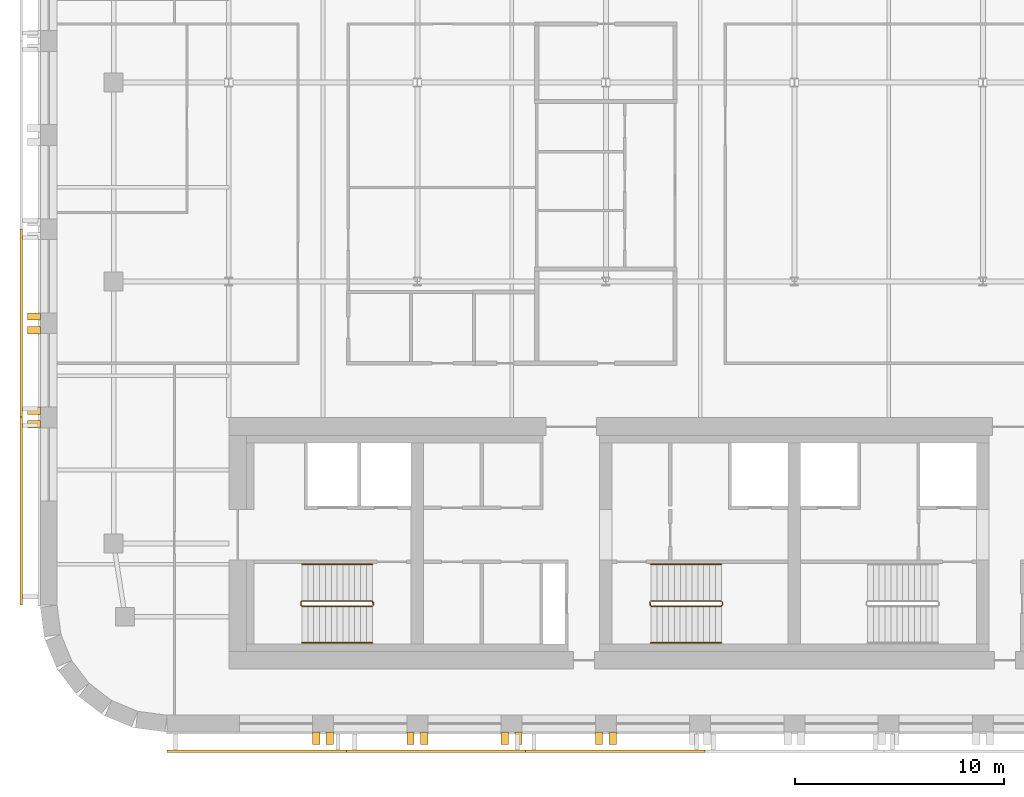
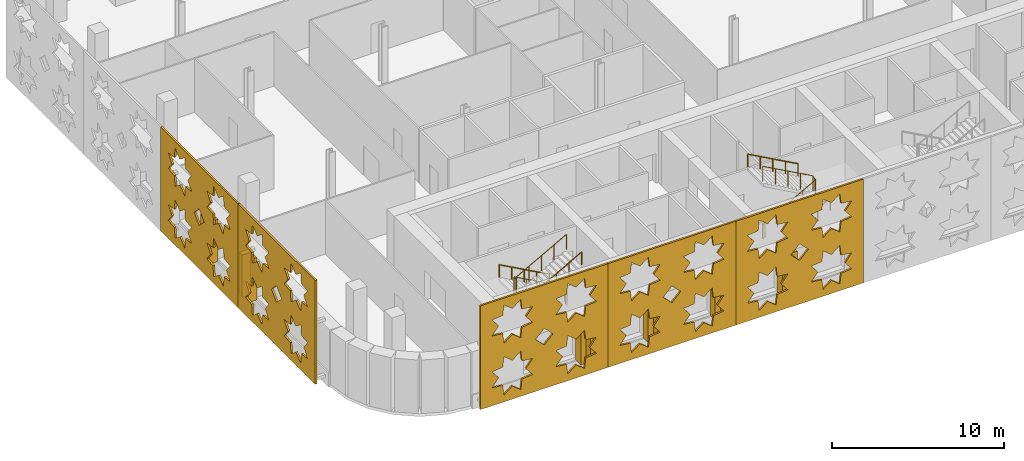
# One storey, part 10 of 13: 17 coverings, 6 railings.
"""IFC4 building model written with IfcOpenShell, lengths in metres."""

from ifc_helpers import new_model, si_unit, direction, frame, origin, origin_2d, place, context, subcontext, project, spatial, polyline, circle, outline, extrude, material, layer, layer_set, type_object, element, save


model = new_model("IFC4")

# Units and contexts
model_context = context("Model", 3, precision=1e-05, world=origin(), true_north=direction((0.0, 1.0)))
body_context = subcontext(model_context, "Body", "Model", "MODEL_VIEW")
ifc_project = project(units=[si_unit("LENGTHUNIT", "METRE"), si_unit("AREAUNIT", "SQUARE_METRE"), si_unit("VOLUMEUNIT", "CUBIC_METRE"), si_unit("PLANEANGLEUNIT", "RADIAN"), si_unit("MASSUNIT", "GRAM", prefix="KILO")], contexts=[model_context])

# Site, building, storey
site_placement = place(None, origin())
site = spatial("IfcSite", under=ifc_project, at=site_placement, CompositionType="ELEMENT")
building_placement = place(site_placement, origin())
building = spatial("IfcBuilding", under=site, at=building_placement, Name="Zellij Exchange Tower", CompositionType="ELEMENT")
storey_placement = place(building_placement, frame((0.0, 0.0, 172.5)))
storey = spatial("IfcBuildingStorey", under=building, at=storey_placement, Name="L39", CompositionType="ELEMENT", Elevation=172.5)

# Railings
ifc_material_1 = material(Name="Stainless steel", Category="steel")
railing_type_1 = type_object("IfcRailingType", Name="CORE-RG stair guard", PredefinedType="GUARDRAIL", material=ifc_material_1)
railing_1_placement = place(storey_placement, frame((-20.10009765625, -10.800048828125, 0.0)))
element("IfcRailing", 1, at=railing_1_placement, inside=storey, type_object=railing_type_1, Name="ST1 stair guard L39", PredefinedType="GUARDRAIL", context=body_context, shape_type="SweptSolid", body=[
    extrude(circle(Radius=0.02392578125, at=origin_2d()), frame((0.0, 0.0, 1.076171875), z_axis=(0.0, -1.0, 0.0), x_axis=(1.0, 0.0, 0.0)), (0.0, 0.0, 1.0), 0.14990234375),
    extrude(circle(Radius=0.02392578125, at=origin_2d()), frame((0.0, -0.14990234375, 1.076171875), z_axis=(-0.193691321961, 0.777613689637, 0.598164376644), x_axis=(-0.970351222016, -0.241699205484, 0.0)), (0.0, 0.0, 1.0), 0.257080078125),
    extrude(circle(Radius=0.02392578125, at=origin_2d()), frame((-0.0498046875, 0.050048828125, 1.22998046875), z_axis=(-0.876421534553, 0.0, 0.481544695509), x_axis=(0.0, -1.0, 0.0)), (0.0, 0.0, 1.0), 3.833984375),
    extrude(circle(Radius=0.02392578125, at=origin_2d()), frame((-3.409912109375, 0.050048828125, 3.076171875), z_axis=(-0.707106781187, -0.707106781187, 0.0), x_axis=(0.707106781187, -0.707106781187, 0.0)), (0.0, 0.0, 1.0), 0.07080078125),
    extrude(circle(Radius=0.02392578125, at=origin_2d()), frame((-3.4599609375, 0.0, 3.076171875), z_axis=(0.0, -1.0, 0.0), x_axis=(1.0, 0.0, 0.0)), (0.0, 0.0, 1.0), 0.14990234375),
    extrude(circle(Radius=0.02392578125, at=origin_2d()), frame((-3.4599609375, -0.14990234375, 3.076171875), z_axis=(0.295599637079, -0.295599637079, 0.908428152975), x_axis=(0.707106781187, 0.707106781187, 0.0)), (0.0, 0.0, 1.0), 0.16943359375),
    extrude(circle(Radius=0.02392578125, at=origin_2d()), frame((-3.409912109375, -0.199951171875, 3.22998046875), z_axis=(0.876421534553, 0.0, 0.481544695509), x_axis=(0.0, 1.0, 0.0)), (0.0, 0.0, 1.0), 3.833984375),
    extrude(circle(Radius=0.02099609375, at=origin_2d()), origin(), (0.0, 0.0, 1.0), 1.052001953125),
    extrude(circle(Radius=0.02099609375, at=origin_2d()), frame((0.0, -0.14990234375, 0.0)), (0.0, 0.0, 1.0), 1.052001953125),
    extrude(circle(Radius=0.02099609375, at=origin_2d()), frame((-0.0498046875, 0.050048828125, 0.15380859375)), (0.0, 0.0, 1.0), 1.052001953125),
    extrude(circle(Radius=0.02099609375, at=origin_2d()), frame((-0.889892578125, 0.050048828125, 0.615234375)), (0.0, 0.0, 1.0), 1.052001953125),
    extrude(circle(Radius=0.02099609375, at=origin_2d()), frame((-1.72998046875, 0.050048828125, 1.076904296875)), (0.0, 0.0, 1.0), 1.052001953125),
    extrude(circle(Radius=0.02099609375, at=origin_2d()), frame((-2.56982421875, 0.050048828125, 1.53857421875)), (0.0, 0.0, 1.0), 1.052001953125),
    extrude(circle(Radius=0.02099609375, at=origin_2d()), frame((-3.409912109375, 0.050048828125, 2.0)), (0.0, 0.0, 1.0), 1.052001953125),
    extrude(circle(Radius=0.02099609375, at=origin_2d()), frame((-3.4599609375, 0.0, 2.0)), (0.0, 0.0, 1.0), 1.052001953125),
    extrude(circle(Radius=0.02099609375, at=origin_2d()), frame((-3.4599609375, -0.14990234375, 2.0)), (0.0, 0.0, 1.0), 1.052001953125),
    extrude(circle(Radius=0.02099609375, at=origin_2d()), frame((-3.409912109375, -0.199951171875, 2.15380859375)), (0.0, 0.0, 1.0), 1.052001953125),
    extrude(circle(Radius=0.02099609375, at=origin_2d()), frame((-2.56982421875, -0.199951171875, 2.615234375)), (0.0, 0.0, 1.0), 1.052001953125),
    extrude(circle(Radius=0.02099609375, at=origin_2d()), frame((-1.72998046875, -0.199951171875, 3.076904296875)), (0.0, 0.0, 1.0), 1.052001953125),
    extrude(circle(Radius=0.02099609375, at=origin_2d()), frame((-0.889892578125, -0.199951171875, 3.53857421875)), (0.0, 0.0, 1.0), 1.052001953125),
    extrude(circle(Radius=0.02099609375, at=origin_2d()), frame((-0.0498046875, -0.199951171875, 4.0)), (0.0, 0.0, 1.0), 1.052001953125),
])
railing_2_placement = place(storey_placement, frame((-6.89990234375, -10.949951171875, 0.0)))
element("IfcRailing", 2, at=railing_2_placement, inside=storey, type_object=railing_type_1, Name="ST2 stair guard L39", PredefinedType="GUARDRAIL", context=body_context, shape_type="SweptSolid", body=[
    extrude(circle(Radius=0.02392578125, at=origin_2d()), frame((0.0, 0.0, 1.076171875), z_axis=(0.0, 1.0, 0.0), x_axis=(-1.0, 0.0, 0.0)), (0.0, 0.0, 1.0), 0.14990234375),
    extrude(circle(Radius=0.02392578125, at=origin_2d()), frame((0.0, 0.14990234375, 1.076171875), z_axis=(0.193691321961, -0.777613689637, 0.598164376644), x_axis=(0.970351222016, 0.241699205484, 0.0)), (0.0, 0.0, 1.0), 0.257080078125),
    extrude(circle(Radius=0.02392578125, at=origin_2d()), frame((0.0498046875, -0.050048828125, 1.22998046875), z_axis=(0.876421534553, 0.0, 0.481544695509), x_axis=(0.0, 1.0, 0.0)), (0.0, 0.0, 1.0), 3.833984375),
    extrude(circle(Radius=0.02392578125, at=origin_2d()), frame((3.409912109375, -0.050048828125, 3.076171875), z_axis=(0.707106781187, 0.707106781187, 0.0), x_axis=(-0.707106781187, 0.707106781187, 0.0)), (0.0, 0.0, 1.0), 0.07080078125),
    extrude(circle(Radius=0.02392578125, at=origin_2d()), frame((3.4599609375, 0.0, 3.076171875), z_axis=(0.0, 1.0, 0.0), x_axis=(-1.0, 0.0, 0.0)), (0.0, 0.0, 1.0), 0.14990234375),
    extrude(circle(Radius=0.02392578125, at=origin_2d()), frame((3.4599609375, 0.14990234375, 3.076171875), z_axis=(-0.295599637079, 0.295599637079, 0.908428152975), x_axis=(-0.707106781187, -0.707106781187, 0.0)), (0.0, 0.0, 1.0), 0.16943359375),
    extrude(circle(Radius=0.02392578125, at=origin_2d()), frame((3.409912109375, 0.199951171875, 3.22998046875), z_axis=(-0.876421534553, 0.0, 0.481544695509), x_axis=(0.0, -1.0, 0.0)), (0.0, 0.0, 1.0), 3.833984375),
    extrude(circle(Radius=0.02099609375, at=origin_2d()), origin(), (0.0, 0.0, 1.0), 1.052001953125),
    extrude(circle(Radius=0.02099609375, at=origin_2d()), frame((0.0, 0.14990234375, 0.0)), (0.0, 0.0, 1.0), 1.052001953125),
    extrude(circle(Radius=0.02099609375, at=origin_2d()), frame((0.0498046875, -0.050048828125, 0.15380859375)), (0.0, 0.0, 1.0), 1.052001953125),
    extrude(circle(Radius=0.02099609375, at=origin_2d()), frame((0.889892578125, -0.050048828125, 0.615234375)), (0.0, 0.0, 1.0), 1.052001953125),
    extrude(circle(Radius=0.02099609375, at=origin_2d()), frame((1.72998046875, -0.050048828125, 1.076904296875)), (0.0, 0.0, 1.0), 1.052001953125),
    extrude(circle(Radius=0.02099609375, at=origin_2d()), frame((2.56982421875, -0.050048828125, 1.53857421875)), (0.0, 0.0, 1.0), 1.052001953125),
    extrude(circle(Radius=0.02099609375, at=origin_2d()), frame((3.409912109375, -0.050048828125, 2.0)), (0.0, 0.0, 1.0), 1.052001953125),
    extrude(circle(Radius=0.02099609375, at=origin_2d()), frame((3.4599609375, 0.0, 2.0)), (0.0, 0.0, 1.0), 1.052001953125),
    extrude(circle(Radius=0.02099609375, at=origin_2d()), frame((3.4599609375, 0.14990234375, 2.0)), (0.0, 0.0, 1.0), 1.052001953125),
    extrude(circle(Radius=0.02099609375, at=origin_2d()), frame((3.409912109375, 0.199951171875, 2.15380859375)), (0.0, 0.0, 1.0), 1.052001953125),
    extrude(circle(Radius=0.02099609375, at=origin_2d()), frame((2.56982421875, 0.199951171875, 2.615234375)), (0.0, 0.0, 1.0), 1.052001953125),
    extrude(circle(Radius=0.02099609375, at=origin_2d()), frame((1.72998046875, 0.199951171875, 3.076904296875)), (0.0, 0.0, 1.0), 1.052001953125),
    extrude(circle(Radius=0.02099609375, at=origin_2d()), frame((0.889892578125, 0.199951171875, 3.53857421875)), (0.0, 0.0, 1.0), 1.052001953125),
    extrude(circle(Radius=0.02099609375, at=origin_2d()), frame((0.0498046875, 0.199951171875, 4.0)), (0.0, 0.0, 1.0), 1.052001953125),
])
railing_type_2 = type_object("IfcRailingType", Name="CORE-RH stair handrail", PredefinedType="HANDRAIL", material=ifc_material_1)
railing_3_placement = place(storey_placement, frame((-20.14990234375, -9.0, 0.15380859375)))
element("IfcRailing", 3, at=railing_3_placement, inside=storey, type_object=railing_type_2, Name="ST1 stair handrail L39", PredefinedType="HANDRAIL", context=body_context, shape_type="SweptSolid", body=[
    extrude(circle(Radius=0.02392578125, at=origin_2d()), frame((0.0, 0.0, 0.8759765625), z_axis=(-0.876421534553, 0.0, 0.481544695509), x_axis=(0.0, -1.0, 0.0)), (0.0, 0.0, 1.0), 3.833984375),
    extrude(circle(Radius=0.02099609375, at=origin_2d()), origin(), (0.0, 0.0, 1.0), 0.851806640625),
    extrude(circle(Radius=0.02099609375, at=origin_2d()), frame((-0.840087890625, 0.0, 0.46142578125)), (0.0, 0.0, 1.0), 0.851806640625),
    extrude(circle(Radius=0.02099609375, at=origin_2d()), frame((-1.68017578125, 0.0, 0.923095703125)), (0.0, 0.0, 1.0), 0.851806640625),
    extrude(circle(Radius=0.02099609375, at=origin_2d()), frame((-2.52001953125, 0.0, 1.384765625)), (0.0, 0.0, 1.0), 0.851806640625),
    extrude(circle(Radius=0.02099609375, at=origin_2d()), frame((-3.360107421875, 0.0, 1.84619140625)), (0.0, 0.0, 1.0), 0.851806640625),
])
for number, where, name in (
    (4, (-23.510009765625, -12.75, 2.15380859375), "ST1 stair handrail L39"),
    (5, (-6.85009765625, -12.75, 0.15380859375), "ST2 stair handrail L39"),
):
    element("IfcRailing", number, at=place(storey_placement, frame(where)), inside=storey, type_object=railing_type_2, Name=name, PredefinedType="HANDRAIL", context=body_context, shape_type="SweptSolid", body=[
        extrude(circle(Radius=0.02392578125, at=origin_2d()), frame((0.0, 0.0, 0.8759765625), z_axis=(0.876421534553, 0.0, 0.481544695509), x_axis=(0.0, 1.0, 0.0)), (0.0, 0.0, 1.0), 3.833984375),
        extrude(circle(Radius=0.02099609375, at=origin_2d()), origin(), (0.0, 0.0, 1.0), 0.851806640625),
        extrude(circle(Radius=0.02099609375, at=origin_2d()), frame((0.840087890625, 0.0, 0.46142578125)), (0.0, 0.0, 1.0), 0.851806640625),
        extrude(circle(Radius=0.02099609375, at=origin_2d()), frame((1.68017578125, 0.0, 0.923095703125)), (0.0, 0.0, 1.0), 0.851806640625),
        extrude(circle(Radius=0.02099609375, at=origin_2d()), frame((2.52001953125, 0.0, 1.384765625)), (0.0, 0.0, 1.0), 0.851806640625),
        extrude(circle(Radius=0.02099609375, at=origin_2d()), frame((3.360107421875, 0.0, 1.84619140625)), (0.0, 0.0, 1.0), 0.851806640625),
    ])
railing_4_placement = place(storey_placement, frame((-3.489990234375, -9.0, 2.15380859375)))
element("IfcRailing", 6, at=railing_4_placement, inside=storey, type_object=railing_type_2, Name="ST2 stair handrail L39", PredefinedType="HANDRAIL", context=body_context, shape_type="SweptSolid", body=[
    extrude(circle(Radius=0.02392578125, at=origin_2d()), frame((0.0, 0.0, 0.8759765625), z_axis=(-0.876421534553, 0.0, 0.481544695509), x_axis=(0.0, -1.0, 0.0)), (0.0, 0.0, 1.0), 3.833984375),
    extrude(circle(Radius=0.02099609375, at=origin_2d()), origin(), (0.0, 0.0, 1.0), 0.851806640625),
    extrude(circle(Radius=0.02099609375, at=origin_2d()), frame((-0.840087890625, 0.0, 0.46142578125)), (0.0, 0.0, 1.0), 0.851806640625),
    extrude(circle(Radius=0.02099609375, at=origin_2d()), frame((-1.68017578125, 0.0, 0.923095703125)), (0.0, 0.0, 1.0), 0.851806640625),
    extrude(circle(Radius=0.02099609375, at=origin_2d()), frame((-2.52001953125, 0.0, 1.384765625)), (0.0, 0.0, 1.0), 0.851806640625),
    extrude(circle(Radius=0.02099609375, at=origin_2d()), frame((-3.360107421875, 0.0, 1.84619140625)), (0.0, 0.0, 1.0), 0.851806640625),
])

# Coverings
ifc_material_2 = material(Name="Limestone cladding", Category="masonry")
covering_type_1 = type_object("IfcCoveringType", Name="ENV-CV3 Stone pier 350x600", PredefinedType="CLADDING", material=ifc_material_2)
covering_1_placement = place(storey_placement, frame((0.0, 0.0, 0.800048828125)))
element("IfcCovering", 7, at=covering_1_placement, inside=storey, type_object=covering_type_1, Name="Stone pier", PredefinedType="CLADDING", context=body_context, shape_type="SweptSolid", body=[
    extrude(outline(polyline([(-23.0, -17.0), (-22.64990234375, -17.0), (-22.64990234375, -17.60009765625), (-23.0, -17.60009765625), (-23.0, -17.0)])), origin(), (0.0, 0.0, 1.0), 3.0),
])
covering_2_placement = place(storey_placement, frame((0.0, 0.0, 0.800048828125)))
element("IfcCovering", 8, at=covering_2_placement, inside=storey, type_object=covering_type_1, Name="Stone pier", PredefinedType="CLADDING", context=body_context, shape_type="SweptSolid", body=[
    extrude(outline(polyline([(-22.35009765625, -17.0), (-22.0, -17.0), (-22.0, -17.60009765625), (-22.35009765625, -17.60009765625), (-22.35009765625, -17.0)])), origin(), (0.0, 0.0, 1.0), 3.0),
])
covering_3_placement = place(storey_placement, frame((0.0, 0.0, 0.800048828125)))
element("IfcCovering", 9, at=covering_3_placement, inside=storey, type_object=covering_type_1, Name="Stone pier", PredefinedType="CLADDING", context=body_context, shape_type="SweptSolid", body=[
    extrude(outline(polyline([(-18.5, -17.0), (-18.14990234375, -17.0), (-18.14990234375, -17.60009765625), (-18.5, -17.60009765625), (-18.5, -17.0)])), origin(), (0.0, 0.0, 1.0), 3.0),
])
covering_4_placement = place(storey_placement, frame((0.0, 0.0, 0.800048828125)))
element("IfcCovering", 10, at=covering_4_placement, inside=storey, type_object=covering_type_1, Name="Stone pier", PredefinedType="CLADDING", context=body_context, shape_type="SweptSolid", body=[
    extrude(outline(polyline([(-17.85009765625, -17.0), (-17.5, -17.0), (-17.5, -17.60009765625), (-17.85009765625, -17.60009765625), (-17.85009765625, -17.0)])), origin(), (0.0, 0.0, 1.0), 3.0),
])
covering_5_placement = place(storey_placement, frame((0.0, 0.0, 0.800048828125)))
element("IfcCovering", 11, at=covering_5_placement, inside=storey, type_object=covering_type_1, Name="Stone pier", PredefinedType="CLADDING", context=body_context, shape_type="SweptSolid", body=[
    extrude(outline(polyline([(-14.0, -17.0), (-13.64990234375, -17.0), (-13.64990234375, -17.60009765625), (-14.0, -17.60009765625), (-14.0, -17.0)])), origin(), (0.0, 0.0, 1.0), 3.0),
])
covering_6_placement = place(storey_placement, frame((0.0, 0.0, 0.800048828125)))
element("IfcCovering", 12, at=covering_6_placement, inside=storey, type_object=covering_type_1, Name="Stone pier", PredefinedType="CLADDING", context=body_context, shape_type="SweptSolid", body=[
    extrude(outline(polyline([(-13.35009765625, -17.0), (-13.0, -17.0), (-13.0, -17.60009765625), (-13.35009765625, -17.60009765625), (-13.35009765625, -17.0)])), origin(), (0.0, 0.0, 1.0), 3.0),
])
covering_7_placement = place(storey_placement, frame((0.0, 0.0, 0.800048828125)))
element("IfcCovering", 13, at=covering_7_placement, inside=storey, type_object=covering_type_1, Name="Stone pier", PredefinedType="CLADDING", context=body_context, shape_type="SweptSolid", body=[
    extrude(outline(polyline([(-9.5, -17.0), (-9.14990234375, -17.0), (-9.14990234375, -17.60009765625), (-9.5, -17.60009765625), (-9.5, -17.0)])), origin(), (0.0, 0.0, 1.0), 3.0),
])
covering_8_placement = place(storey_placement, frame((0.0, 0.0, 0.800048828125)))
element("IfcCovering", 14, at=covering_8_placement, inside=storey, type_object=covering_type_1, Name="Stone pier", PredefinedType="CLADDING", context=body_context, shape_type="SweptSolid", body=[
    extrude(outline(polyline([(-8.85009765625, -17.0), (-8.5, -17.0), (-8.5, -17.60009765625), (-8.85009765625, -17.60009765625), (-8.85009765625, -17.0)])), origin(), (0.0, 0.0, 1.0), 3.0),
])
covering_9_placement = place(storey_placement, frame((0.0, 0.0, 0.800048828125)))
element("IfcCovering", 15, at=covering_9_placement, inside=storey, type_object=covering_type_1, Name="Stone pier", PredefinedType="CLADDING", context=body_context, shape_type="SweptSolid", body=[
    extrude(outline(polyline([(-36.0, 3.006591796875), (-36.0, 2.656494140625), (-36.60009765625, 2.656494140625), (-36.60009765625, 3.006591796875), (-36.0, 3.006591796875)])), origin(), (0.0, 0.0, 1.0), 3.0),
])
covering_10_placement = place(storey_placement, frame((0.0, 0.0, 0.800048828125)))
element("IfcCovering", 16, at=covering_10_placement, inside=storey, type_object=covering_type_1, Name="Stone pier", PredefinedType="CLADDING", context=body_context, shape_type="SweptSolid", body=[
    extrude(outline(polyline([(-36.0, 2.356689453125), (-36.0, 2.006591796875), (-36.60009765625, 2.006591796875), (-36.60009765625, 2.356689453125), (-36.0, 2.356689453125)])), origin(), (0.0, 0.0, 1.0), 3.0),
])
covering_11_placement = place(storey_placement, frame((0.0, 0.0, 0.800048828125)))
element("IfcCovering", 17, at=covering_11_placement, inside=storey, type_object=covering_type_1, Name="Stone pier", PredefinedType="CLADDING", context=body_context, shape_type="SweptSolid", body=[
    extrude(outline(polyline([(-36.0, -1.48681640625), (-36.0, -1.8369140625), (-36.60009765625, -1.8369140625), (-36.60009765625, -1.48681640625), (-36.0, -1.48681640625)])), origin(), (0.0, 0.0, 1.0), 3.0),
])
covering_12_placement = place(storey_placement, frame((0.0, 0.0, 0.800048828125)))
element("IfcCovering", 18, at=covering_12_placement, inside=storey, type_object=covering_type_1, Name="Stone pier", PredefinedType="CLADDING", context=body_context, shape_type="SweptSolid", body=[
    extrude(outline(polyline([(-36.0, -2.136962890625), (-36.0, -2.48681640625), (-36.60009765625, -2.48681640625), (-36.60009765625, -2.136962890625), (-36.0, -2.136962890625)])), origin(), (0.0, 0.0, 1.0), 3.0),
])
ifc_material_3 = material(Name="Limestone screen", Category="masonry")
ifc_layer = layer(ifc_material_3, 0.1201171875)
ifc_layer_set = layer_set([ifc_layer], Name="Limestone screen")
covering_type_2 = type_object("IfcCoveringType", Name="ENV-SC1 Pierced stone screen 120", PredefinedType="USERDEFINED", material=ifc_layer_set)
covering_13_placement = place(storey_placement, frame((-36.909912109375, 7.0, 0.300048828125), z_axis=(0.0, 0.0, 1.0), x_axis=(0.0, -1.0, 0.0)))
element("IfcCovering", 19, at=covering_13_placement, inside=storey, type_object=covering_type_2, Name="Pierced stone screen", ObjectType="SCREEN", PredefinedType="USERDEFINED", context=body_context, shape_type="SweptSolid", body=[
    extrude(outline(polyline([(0.0, 0.0), (8.973876953125, 0.0), (8.973876953125, 7.35009765625), (0.0, 7.35009765625), (0.0, 0.0)]), holes=[polyline([(3.6015625, 2.39990234375), (2.887939453125, 2.48193359375), (2.805908203125, 3.195556640625), (2.243408203125, 2.748779296875), (1.680908203125, 3.195556640625), (1.59912109375, 2.48193359375), (0.88525390625, 2.39990234375), (1.33203125, 1.83740234375), (0.88525390625, 1.27490234375), (1.59912109375, 1.193115234375), (1.680908203125, 0.4794921875), (2.243408203125, 0.926025390625), (2.805908203125, 0.4794921875), (2.887939453125, 1.193115234375), (3.6015625, 1.27490234375), (3.15478515625, 1.83740234375), (3.6015625, 2.39990234375)]), polyline([(3.6015625, 6.074951171875), (2.887939453125, 6.156982421875), (2.805908203125, 6.87060546875), (2.243408203125, 6.423828125), (1.680908203125, 6.87060546875), (1.59912109375, 6.156982421875), (0.88525390625, 6.074951171875), (1.33203125, 5.512451171875), (0.88525390625, 4.949951171875), (1.59912109375, 4.867919921875), (1.680908203125, 4.154296875), (2.243408203125, 4.60107421875), (2.805908203125, 4.154296875), (2.887939453125, 4.867919921875), (3.6015625, 4.949951171875), (3.15478515625, 5.512451171875), (3.6015625, 6.074951171875)]), polyline([(8.08837890625, 2.39990234375), (7.374755859375, 2.48193359375), (7.29296875, 3.195556640625), (6.730224609375, 2.748779296875), (6.167724609375, 3.195556640625), (6.0859375, 2.48193359375), (5.372314453125, 2.39990234375), (5.81884765625, 1.83740234375), (5.372314453125, 1.27490234375), (6.0859375, 1.193115234375), (6.167724609375, 0.4794921875), (6.730224609375, 0.926025390625), (7.29296875, 0.4794921875), (7.374755859375, 1.193115234375), (8.08837890625, 1.27490234375), (7.6416015625, 1.83740234375), (8.08837890625, 2.39990234375)]), polyline([(8.08837890625, 6.074951171875), (7.374755859375, 6.156982421875), (7.29296875, 6.87060546875), (6.730224609375, 6.423828125), (6.167724609375, 6.87060546875), (6.0859375, 6.156982421875), (5.372314453125, 6.074951171875), (5.81884765625, 5.512451171875), (5.372314453125, 4.949951171875), (6.0859375, 4.867919921875), (6.167724609375, 4.154296875), (6.730224609375, 4.60107421875), (7.29296875, 4.154296875), (7.374755859375, 4.867919921875), (8.08837890625, 4.949951171875), (7.6416015625, 5.512451171875), (8.08837890625, 6.074951171875)]), polyline([(5.074951171875, 3.675048828125), (4.48681640625, 4.262939453125), (3.89892578125, 3.675048828125), (4.48681640625, 3.0869140625), (5.074951171875, 3.675048828125)])]), frame((0.0, 0.06005859375, 0.0), z_axis=(0.0, -1.0, 0.0), x_axis=(1.0, 0.0, 0.0)), (0.0, 0.0, 1.0), 0.1201171875),
])
covering_14_placement = place(storey_placement, frame((-36.909912109375, -1.973876953125, 0.300048828125), z_axis=(0.0, 0.0, 1.0), x_axis=(0.0, -1.0, 0.0)))
element("IfcCovering", 20, at=covering_14_placement, inside=storey, type_object=covering_type_2, Name="Pierced stone screen", ObjectType="SCREEN", PredefinedType="USERDEFINED", context=body_context, shape_type="SweptSolid", body=[
    extrude(outline(polyline([(0.0, 0.0), (8.973876953125, 0.0), (8.973876953125, 7.35009765625), (0.0, 7.35009765625), (0.0, 0.0)]), holes=[polyline([(3.6015625, 2.39990234375), (2.887939453125, 2.48193359375), (2.805908203125, 3.195556640625), (2.243408203125, 2.748779296875), (1.680908203125, 3.195556640625), (1.59912109375, 2.48193359375), (0.88525390625, 2.39990234375), (1.33203125, 1.83740234375), (0.88525390625, 1.27490234375), (1.59912109375, 1.193115234375), (1.680908203125, 0.4794921875), (2.243408203125, 0.926025390625), (2.805908203125, 0.4794921875), (2.887939453125, 1.193115234375), (3.6015625, 1.27490234375), (3.15478515625, 1.83740234375), (3.6015625, 2.39990234375)]), polyline([(3.6015625, 6.074951171875), (2.887939453125, 6.156982421875), (2.805908203125, 6.87060546875), (2.243408203125, 6.423828125), (1.680908203125, 6.87060546875), (1.59912109375, 6.156982421875), (0.88525390625, 6.074951171875), (1.33203125, 5.512451171875), (0.88525390625, 4.949951171875), (1.59912109375, 4.867919921875), (1.680908203125, 4.154296875), (2.243408203125, 4.60107421875), (2.805908203125, 4.154296875), (2.887939453125, 4.867919921875), (3.6015625, 4.949951171875), (3.15478515625, 5.512451171875), (3.6015625, 6.074951171875)]), polyline([(8.08837890625, 2.39990234375), (7.374755859375, 2.48193359375), (7.29296875, 3.195556640625), (6.730224609375, 2.748779296875), (6.167724609375, 3.195556640625), (6.0859375, 2.48193359375), (5.372314453125, 2.39990234375), (5.81884765625, 1.83740234375), (5.372314453125, 1.27490234375), (6.0859375, 1.193115234375), (6.167724609375, 0.4794921875), (6.730224609375, 0.926025390625), (7.29296875, 0.4794921875), (7.374755859375, 1.193115234375), (8.08837890625, 1.27490234375), (7.6416015625, 1.83740234375), (8.08837890625, 2.39990234375)]), polyline([(8.08837890625, 6.074951171875), (7.374755859375, 6.156982421875), (7.29296875, 6.87060546875), (6.730224609375, 6.423828125), (6.167724609375, 6.87060546875), (6.0859375, 6.156982421875), (5.372314453125, 6.074951171875), (5.81884765625, 5.512451171875), (5.372314453125, 4.949951171875), (6.0859375, 4.867919921875), (6.167724609375, 4.154296875), (6.730224609375, 4.60107421875), (7.29296875, 4.154296875), (7.374755859375, 4.867919921875), (8.08837890625, 4.949951171875), (7.6416015625, 5.512451171875), (8.08837890625, 6.074951171875)]), polyline([(5.074951171875, 3.675048828125), (4.48681640625, 4.262939453125), (3.89892578125, 3.675048828125), (4.48681640625, 3.0869140625), (5.074951171875, 3.675048828125)])]), frame((0.0, 0.06005859375, 0.0), z_axis=(0.0, -1.0, 0.0), x_axis=(1.0, 0.0, 0.0)), (0.0, 0.0, 1.0), 0.1201171875),
])
covering_15_placement = place(storey_placement, frame((-29.947509765625, -17.909912109375, 0.300048828125), z_axis=(0.0, 0.0, 1.0), x_axis=(1.0, 0.0, 0.0)))
element("IfcCovering", 21, at=covering_15_placement, inside=storey, type_object=covering_type_2, Name="Pierced stone screen", ObjectType="SCREEN", PredefinedType="USERDEFINED", context=body_context, shape_type="SweptSolid", body=[
    extrude(outline(polyline([(0.0, 0.0), (8.556396484375, 0.0), (8.556396484375, 7.35009765625), (0.0, 7.35009765625), (0.0, 0.0)]), holes=[polyline([(3.497314453125, 2.39990234375), (2.78369140625, 2.48193359375), (2.70166015625, 3.195556640625), (2.13916015625, 2.748779296875), (1.57666015625, 3.195556640625), (1.49462890625, 2.48193359375), (0.781005859375, 2.39990234375), (1.227783203125, 1.83740234375), (0.781005859375, 1.27490234375), (1.49462890625, 1.193115234375), (1.57666015625, 0.4794921875), (2.13916015625, 0.926025390625), (2.70166015625, 0.4794921875), (2.78369140625, 1.193115234375), (3.497314453125, 1.27490234375), (3.050537109375, 1.83740234375), (3.497314453125, 2.39990234375)]), polyline([(3.497314453125, 6.074951171875), (2.78369140625, 6.156982421875), (2.70166015625, 6.87060546875), (2.13916015625, 6.423828125), (1.57666015625, 6.87060546875), (1.49462890625, 6.156982421875), (0.781005859375, 6.074951171875), (1.227783203125, 5.512451171875), (0.781005859375, 4.949951171875), (1.49462890625, 4.867919921875), (1.57666015625, 4.154296875), (2.13916015625, 4.60107421875), (2.70166015625, 4.154296875), (2.78369140625, 4.867919921875), (3.497314453125, 4.949951171875), (3.050537109375, 5.512451171875), (3.497314453125, 6.074951171875)]), polyline([(7.775390625, 2.39990234375), (7.061767578125, 2.48193359375), (6.97998046875, 3.195556640625), (6.417236328125, 2.748779296875), (5.854736328125, 3.195556640625), (5.77294921875, 2.48193359375), (5.05908203125, 2.39990234375), (5.505859375, 1.83740234375), (5.05908203125, 1.27490234375), (5.77294921875, 1.193115234375), (5.854736328125, 0.4794921875), (6.417236328125, 0.926025390625), (6.97998046875, 0.4794921875), (7.061767578125, 1.193115234375), (7.775390625, 1.27490234375), (7.32861328125, 1.83740234375), (7.775390625, 2.39990234375)]), polyline([(7.775390625, 6.074951171875), (7.061767578125, 6.156982421875), (6.97998046875, 6.87060546875), (6.417236328125, 6.423828125), (5.854736328125, 6.87060546875), (5.77294921875, 6.156982421875), (5.05908203125, 6.074951171875), (5.505859375, 5.512451171875), (5.05908203125, 4.949951171875), (5.77294921875, 4.867919921875), (5.854736328125, 4.154296875), (6.417236328125, 4.60107421875), (6.97998046875, 4.154296875), (7.061767578125, 4.867919921875), (7.775390625, 4.949951171875), (7.32861328125, 5.512451171875), (7.775390625, 6.074951171875)]), polyline([(4.8662109375, 3.675048828125), (4.2783203125, 4.262939453125), (3.690185546875, 3.675048828125), (4.2783203125, 3.0869140625), (4.8662109375, 3.675048828125)])]), frame((0.0, 0.06005859375, 0.0), z_axis=(0.0, -1.0, 0.0), x_axis=(1.0, 0.0, 0.0)), (0.0, 0.0, 1.0), 0.1201171875),
])
covering_16_placement = place(storey_placement, frame((-21.39111328125, -17.909912109375, 0.300048828125), z_axis=(0.0, 0.0, 1.0), x_axis=(1.0, 0.0, 0.0)))
element("IfcCovering", 22, at=covering_16_placement, inside=storey, type_object=covering_type_2, Name="Pierced stone screen", ObjectType="SCREEN", PredefinedType="USERDEFINED", context=body_context, shape_type="SweptSolid", body=[
    extrude(outline(polyline([(0.0, 0.0), (8.556396484375, 0.0), (8.556396484375, 7.35009765625), (0.0, 7.35009765625), (0.0, 0.0)]), holes=[polyline([(3.497314453125, 2.39990234375), (2.78369140625, 2.48193359375), (2.70166015625, 3.195556640625), (2.13916015625, 2.748779296875), (1.57666015625, 3.195556640625), (1.49462890625, 2.48193359375), (0.781005859375, 2.39990234375), (1.227783203125, 1.83740234375), (0.781005859375, 1.27490234375), (1.49462890625, 1.193115234375), (1.57666015625, 0.4794921875), (2.13916015625, 0.926025390625), (2.70166015625, 0.4794921875), (2.78369140625, 1.193115234375), (3.497314453125, 1.27490234375), (3.050537109375, 1.83740234375), (3.497314453125, 2.39990234375)]), polyline([(3.497314453125, 6.074951171875), (2.78369140625, 6.156982421875), (2.70166015625, 6.87060546875), (2.13916015625, 6.423828125), (1.57666015625, 6.87060546875), (1.49462890625, 6.156982421875), (0.781005859375, 6.074951171875), (1.227783203125, 5.512451171875), (0.781005859375, 4.949951171875), (1.49462890625, 4.867919921875), (1.57666015625, 4.154296875), (2.13916015625, 4.60107421875), (2.70166015625, 4.154296875), (2.78369140625, 4.867919921875), (3.497314453125, 4.949951171875), (3.050537109375, 5.512451171875), (3.497314453125, 6.074951171875)]), polyline([(7.775390625, 2.39990234375), (7.061767578125, 2.48193359375), (6.97998046875, 3.195556640625), (6.417236328125, 2.748779296875), (5.854736328125, 3.195556640625), (5.77294921875, 2.48193359375), (5.05908203125, 2.39990234375), (5.505859375, 1.83740234375), (5.05908203125, 1.27490234375), (5.77294921875, 1.193115234375), (5.854736328125, 0.4794921875), (6.417236328125, 0.926025390625), (6.97998046875, 0.4794921875), (7.061767578125, 1.193115234375), (7.775390625, 1.27490234375), (7.32861328125, 1.83740234375), (7.775390625, 2.39990234375)]), polyline([(7.775390625, 6.074951171875), (7.061767578125, 6.156982421875), (6.97998046875, 6.87060546875), (6.417236328125, 6.423828125), (5.854736328125, 6.87060546875), (5.77294921875, 6.156982421875), (5.05908203125, 6.074951171875), (5.505859375, 5.512451171875), (5.05908203125, 4.949951171875), (5.77294921875, 4.867919921875), (5.854736328125, 4.154296875), (6.417236328125, 4.60107421875), (6.97998046875, 4.154296875), (7.061767578125, 4.867919921875), (7.775390625, 4.949951171875), (7.32861328125, 5.512451171875), (7.775390625, 6.074951171875)]), polyline([(4.8662109375, 3.675048828125), (4.2783203125, 4.262939453125), (3.690185546875, 3.675048828125), (4.2783203125, 3.0869140625), (4.8662109375, 3.675048828125)])]), frame((0.0, 0.06005859375, 0.0), z_axis=(0.0, -1.0, 0.0), x_axis=(1.0, 0.0, 0.0)), (0.0, 0.0, 1.0), 0.1201171875),
])
covering_17_placement = place(storey_placement, frame((-12.834716796875, -17.909912109375, 0.300048828125), z_axis=(0.0, 0.0, 1.0), x_axis=(1.0, 0.0, 0.0)))
element("IfcCovering", 23, at=covering_17_placement, inside=storey, type_object=covering_type_2, Name="Pierced stone screen", ObjectType="SCREEN", PredefinedType="USERDEFINED", context=body_context, shape_type="SweptSolid", body=[
    extrude(outline(polyline([(0.0, 0.0), (8.556396484375, 0.0), (8.556396484375, 7.35009765625), (0.0, 7.35009765625), (0.0, 0.0)]), holes=[polyline([(3.497314453125, 2.39990234375), (2.78369140625, 2.48193359375), (2.70166015625, 3.195556640625), (2.13916015625, 2.748779296875), (1.57666015625, 3.195556640625), (1.49462890625, 2.48193359375), (0.781005859375, 2.39990234375), (1.227783203125, 1.83740234375), (0.781005859375, 1.27490234375), (1.49462890625, 1.193115234375), (1.57666015625, 0.4794921875), (2.13916015625, 0.926025390625), (2.70166015625, 0.4794921875), (2.78369140625, 1.193115234375), (3.497314453125, 1.27490234375), (3.050537109375, 1.83740234375), (3.497314453125, 2.39990234375)]), polyline([(3.497314453125, 6.074951171875), (2.78369140625, 6.156982421875), (2.70166015625, 6.87060546875), (2.13916015625, 6.423828125), (1.57666015625, 6.87060546875), (1.49462890625, 6.156982421875), (0.781005859375, 6.074951171875), (1.227783203125, 5.512451171875), (0.781005859375, 4.949951171875), (1.49462890625, 4.867919921875), (1.57666015625, 4.154296875), (2.13916015625, 4.60107421875), (2.70166015625, 4.154296875), (2.78369140625, 4.867919921875), (3.497314453125, 4.949951171875), (3.050537109375, 5.512451171875), (3.497314453125, 6.074951171875)]), polyline([(7.775390625, 2.39990234375), (7.061767578125, 2.48193359375), (6.97998046875, 3.195556640625), (6.417236328125, 2.748779296875), (5.854736328125, 3.195556640625), (5.77294921875, 2.48193359375), (5.05908203125, 2.39990234375), (5.505859375, 1.83740234375), (5.05908203125, 1.27490234375), (5.77294921875, 1.193115234375), (5.854736328125, 0.4794921875), (6.417236328125, 0.926025390625), (6.97998046875, 0.4794921875), (7.061767578125, 1.193115234375), (7.775390625, 1.27490234375), (7.32861328125, 1.83740234375), (7.775390625, 2.39990234375)]), polyline([(7.775390625, 6.074951171875), (7.061767578125, 6.156982421875), (6.97998046875, 6.87060546875), (6.417236328125, 6.423828125), (5.854736328125, 6.87060546875), (5.77294921875, 6.156982421875), (5.05908203125, 6.074951171875), (5.505859375, 5.512451171875), (5.05908203125, 4.949951171875), (5.77294921875, 4.867919921875), (5.854736328125, 4.154296875), (6.417236328125, 4.60107421875), (6.97998046875, 4.154296875), (7.061767578125, 4.867919921875), (7.775390625, 4.949951171875), (7.32861328125, 5.512451171875), (7.775390625, 6.074951171875)]), polyline([(4.8662109375, 3.675048828125), (4.2783203125, 4.262939453125), (3.690185546875, 3.675048828125), (4.2783203125, 3.0869140625), (4.8662109375, 3.675048828125)])]), frame((0.0, 0.06005859375, 0.0), z_axis=(0.0, -1.0, 0.0), x_axis=(1.0, 0.0, 0.0)), (0.0, 0.0, 1.0), 0.1201171875),
])

save(model, "model.ifc")
